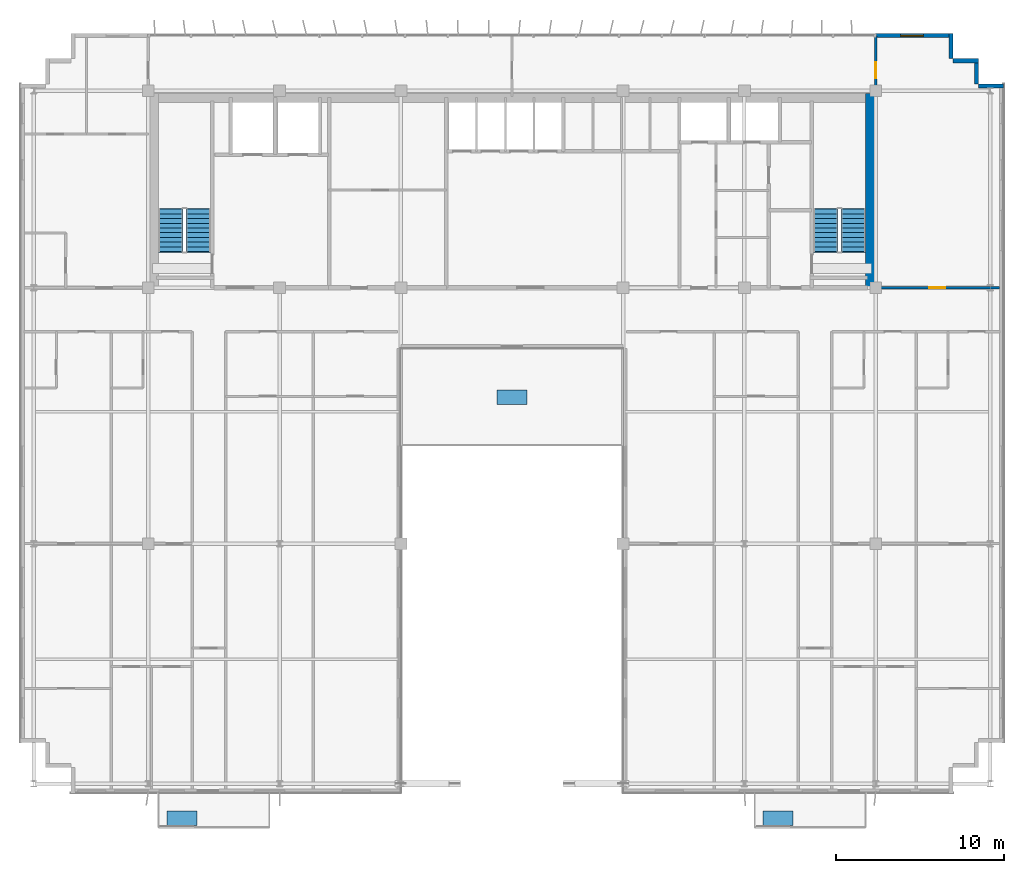
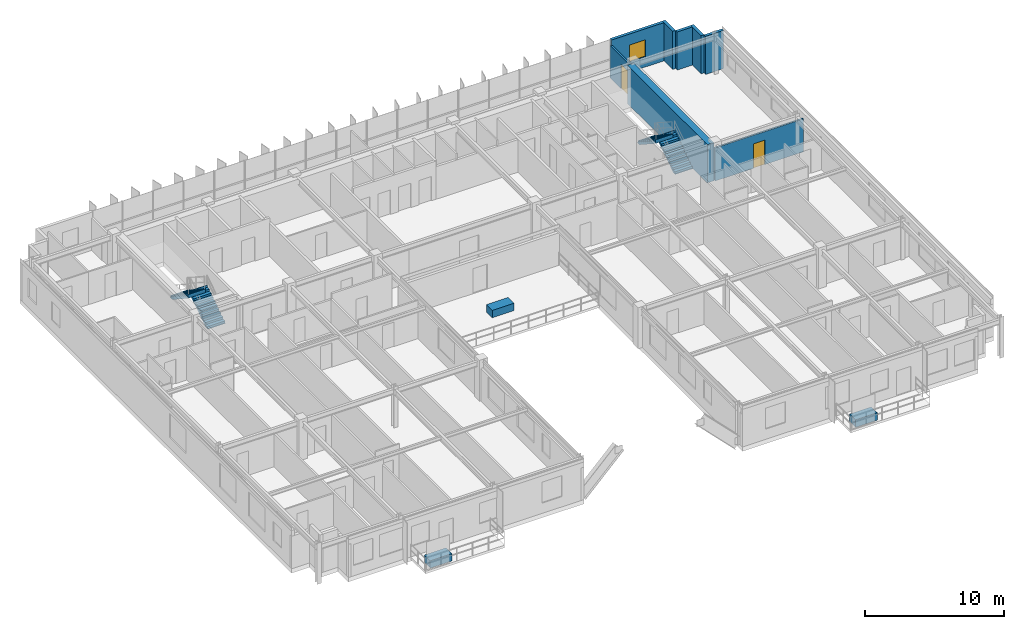
# One storey, part 21 of 23: 8 walls, 4 stair flights, 3 discrete accessories, 2 doors, 1 window, 3 openings, 2 elements without a shape of their own.
"""IFC4 building model written with IfcOpenShell, lengths in metres."""

from ifc_helpers import new_model, si_unit, direction, frame, frame_2d, origin, origin_2d, place, context, subcontext, project, spatial, polyline, rectangle, outline, extrude, source, transform, mapped, material, layer, layer_set, type_object, element, fill, aggregate, save


model = new_model("IFC4")

# Units and contexts
model_context = context("Model", 3, precision=1e-05, world=origin(), true_north=direction((0.0, 1.0)))
body_context = subcontext(model_context, "Body", "Model", "MODEL_VIEW")
ifc_project = project(units=[si_unit("LENGTHUNIT", "METRE"), si_unit("AREAUNIT", "SQUARE_METRE"), si_unit("VOLUMEUNIT", "CUBIC_METRE"), si_unit("PLANEANGLEUNIT", "RADIAN"), si_unit("MASSUNIT", "GRAM", prefix="KILO")], contexts=[model_context])

# Site, building, storey
site_placement = place(None, origin())
site = spatial("IfcSite", under=ifc_project, at=site_placement, CompositionType="ELEMENT")
building_placement = place(site_placement, origin())
building = spatial("IfcBuilding", under=site, at=building_placement, Name="Trelvane Seafront Commons", CompositionType="ELEMENT")
storey_placement = place(building_placement, frame((0.0, 0.0, 190.5)))
storey = spatial("IfcBuildingStorey", under=building, at=storey_placement, Name="L49", CompositionType="ELEMENT", Elevation=190.5)

# Wall, opening, window
ifc_material_1 = material(Name="Precast concrete C40/50", Category="concrete")
ifc_layer_1 = layer(ifc_material_1, 0.239990234375, Name="ARCH-WALL-EXT240")
ifc_layer_set_1 = layer_set([ifc_layer_1], Name="Precast concrete C40/50")
wall_type_1 = type_object("IfcWallType", Name="ARCH-WALL-EXT240", PredefinedType="SOLIDWALL", material=ifc_layer_set_1)
wall_1_placement = place(storey_placement, frame((58.800048828125, 48.3701171875, 0.0), z_axis=(0.0, 0.0, 1.0), x_axis=(1.0, 0.0, 0.0)))
wall_1 = element("IfcWall", 1, at=wall_1_placement, inside=storey, type_object=wall_type_1, Name="EW-L49-NE-0958", PredefinedType="SOLIDWALL", context=body_context, shape_type="SweptSolid", body=[
    extrude(rectangle(XDim=4.5, YDim=0.239990234375, at=frame_2d((2.25, 0.0))), origin(), (0.0, 0.0, 1.0), 3.360107421875),
])
opening_1_placement = place(wall_1_placement, frame((1.48291015625, 0.0, 0.89990234375)))
opening_1 = element("IfcOpeningElement", 2, at=opening_1_placement, cuts=wall_1, Name="Opening W09", PredefinedType="OPENING", context=body_context, shape_type="SweptSolid", body=[
    extrude(rectangle(XDim=1.35009765625, YDim=1.5, at=frame_2d((0.675048828125, 0.75))), frame((0.0, 0.1298828125, 0.0), z_axis=(0.0, -1.0, 0.0), x_axis=(1.0, 0.0, 0.0)), (0.0, 0.0, 1.0), 0.260009765625),
])
ifc_material_2 = material(Name="Low-E coastal double glazing", Category="glass")
window_type = type_object("IfcWindowType", Name="ARCH-WIN-W09", PartitioningType="SINGLE_PANEL", PredefinedType="WINDOW", material=ifc_material_2)
shared_shape_1 = source(origin(), body_context, "Body", "SweptSolid", [
    extrude(rectangle(XDim=1.35009765625, YDim=1.5, at=frame_2d((0.675048828125, 0.75))), frame((0.0, 0.030029296875, 0.0), z_axis=(0.0, -1.0, 0.0), x_axis=(1.0, 0.0, 0.0)), (0.0, 0.0, 1.0), 0.06005859375),
])
window_placement = place(opening_1_placement, origin())
window = element("IfcWindow", 3, at=window_placement, inside=storey, type_object=window_type, Name="WIN-L49-01135", OverallHeight=1.5, OverallWidth=1.35009765625, PartitioningType="SINGLE_PANEL", PredefinedType="WINDOW", context=body_context, shape_type="MappedRepresentation", body=[
    mapped(shared_shape_1, transform((0.0, 0.0, 0.0), x_axis=(1.0, 0.0, 0.0), y_axis=(0.0, 1.0, 0.0), z_axis=(0.0, 0.0, 1.0), scale=1.0)),
])
fill(opening_1, window)

# Walls
for number, where, z_axis, x_axis, name in (
    (4, (63.280029296875, 48.5, 0.0), (0.0, 0.0, 1.0), (0.0, -1.0, 0.0), "EW-L49-00967"),
    (5, (63.39990234375, 46.8798828125, 0.0), (0.0, 0.0, 1.0), (1.0, 0.0, 0.0), "EW-L49-00968"),
    (6, (64.780029296875, 47.0, 0.0), (0.0, 0.0, 1.0), (0.0, -1.0, 0.0), "EW-L49-00969"),
    (7, (64.89990234375, 45.3798828125, 0.0), (0.0, 0.0, 1.0), (1.0, 0.0, 0.0), "EW-L49-00970"),
):
    element("IfcWall", number, at=place(storey_placement, frame(where, z_axis=z_axis, x_axis=x_axis)), inside=storey, type_object=wall_type_1, Name=name, PredefinedType="SOLIDWALL", context=body_context, shape_type="SweptSolid", body=[
        extrude(rectangle(XDim=1.5, YDim=0.239990234375, at=frame_2d((0.75, 0.0))), origin(), (0.0, 0.0, 1.0), 3.360107421875),
    ])

# Wall, opening, door
ifc_material_3 = material(Name="Gypsum Drywall Acoustic Partition")
ifc_layer_2 = layer(ifc_material_3, 0.14990234375, Name="ARCH-WALL-PART150")
ifc_layer_set_2 = layer_set([ifc_layer_2], Name="Gypsum Drywall Acoustic Partition")
wall_type_2 = type_object("IfcWallType", Name="ARCH-WALL-PART150", PredefinedType="PARTITIONING", material=ifc_layer_set_2)
wall_2_placement = place(storey_placement, frame((58.800048828125, 33.39990234375, 0.0), z_axis=(0.0, 0.0, 1.0), x_axis=(1.0, 0.0, 0.0)))
wall_2 = element("IfcWall", 8, at=wall_2_placement, inside=storey, type_object=wall_type_2, Name="W-L49-NE-ENT-043", PredefinedType="PARTITIONING", context=body_context, shape_type="SweptSolid", body=[
    extrude(rectangle(XDim=7.349853515625, YDim=0.14990234375, at=frame_2d((3.6748046875, 0.0))), origin(), (0.0, 0.0, 1.0), 2.909912109375),
])
opening_2_placement = place(wall_2_placement, frame((3.19189453125, 0.0, 0.0)))
opening_2 = element("IfcOpeningElement", 9, at=opening_2_placement, cuts=wall_2, Name="Opening FD-L49-25", PredefinedType="OPENING", context=body_context, shape_type="SweptSolid", body=[
    extrude(rectangle(XDim=0.949951171875, YDim=2.14990234375, at=frame_2d((0.47509765625, 1.074951171875))), frame((0.0, 0.0849609375, 0.0), z_axis=(0.0, -1.0, 0.0), x_axis=(1.0, 0.0, 0.0)), (0.0, 0.0, 1.0), 0.169921875),
])
ifc_material_4 = material(Name="Powder-coated aluminium frame", Category="aluminium")
door_type = type_object("IfcDoorType", Name="ARCH-DR-FD60-950", OperationType="NOTDEFINED", PredefinedType="DOOR", material=ifc_material_4)
shared_shape_2 = source(origin(), body_context, "Body", "SweptSolid", [
    extrude(rectangle(XDim=0.949951171875, YDim=2.14990234375, at=frame_2d((0.47509765625, 1.074951171875))), frame((0.0, 0.02490234375, 0.0), z_axis=(0.0, -1.0, 0.0), x_axis=(1.0, 0.0, 0.0)), (0.0, 0.0, 1.0), 0.050048828125),
])
door_1_placement = place(opening_2_placement, origin())
door_1 = element("IfcDoor", 10, at=door_1_placement, inside=storey, type_object=door_type, Name="L49 NE Suite Entrance Door", OperationType="SINGLE_SWING_LEFT", OverallHeight=2.14990234375, OverallWidth=0.949951171875, PredefinedType="DOOR", context=body_context, shape_type="MappedRepresentation", body=[
    mapped(shared_shape_2, transform((0.0, 0.0, 0.0), x_axis=(1.0, 0.0, 0.0), y_axis=(0.0, 1.0, 0.0), z_axis=(0.0, 0.0, 1.0), scale=1.0)),
])
fill(opening_2, door_1)

wall_3_placement = place(storey_placement, frame((58.800048828125, 44.75, 0.0), z_axis=(0.0, 0.0, 1.0), x_axis=(0.0, 1.0, 0.0)))
wall_3 = element("IfcWall", 11, at=wall_3_placement, inside=storey, type_object=wall_type_2, Name="W-L49-N-LINK-E-046", PredefinedType="PARTITIONING", context=body_context, shape_type="SweptSolid", body=[
    extrude(rectangle(XDim=3.610107421875, YDim=0.14990234375, at=frame_2d((1.80517578125, 0.0))), origin(), (0.0, 0.0, 1.0), 2.860107421875),
])
opening_3_placement = place(wall_3_placement, frame((1.10009765625, 0.0, 0.0)))
opening_3 = element("IfcOpeningElement", 12, at=opening_3_placement, cuts=wall_3, Name="Opening FD-L49-28", PredefinedType="OPENING", context=body_context, shape_type="SweptSolid", body=[
    extrude(rectangle(XDim=0.949951171875, YDim=2.14990234375, at=frame_2d((0.47509765625, 1.074951171875))), frame((0.0, 0.0849609375, 0.0), z_axis=(0.0, -1.0, 0.0), x_axis=(1.0, 0.0, 0.0)), (0.0, 0.0, 1.0), 0.169921875),
])
door_2_placement = place(opening_3_placement, origin())
door_2 = element("IfcDoor", 13, at=door_2_placement, inside=storey, type_object=door_type, Name="L49 Door 28", OperationType="SINGLE_SWING_RIGHT", OverallHeight=2.14990234375, OverallWidth=0.949951171875, PredefinedType="DOOR", context=body_context, shape_type="MappedRepresentation", body=[
    mapped(shared_shape_2, transform((0.0, 0.0, 0.0), x_axis=(1.0, 0.0, 0.0), y_axis=(0.0, 1.0, 0.0), z_axis=(0.0, 0.0, 1.0), scale=1.0)),
])
fill(opening_3, door_2)

# Wall
ifc_material_5 = material(Name="Concrete C50/60", Category="concrete")
ifc_layer_3 = layer(ifc_material_5, 0.550048828125, Name="STR-WALL-CORE550")
ifc_layer_set_3 = layer_set([ifc_layer_3], Name="Concrete C50/60")
wall_type_3 = type_object("IfcWallType", Name="STR-WALL-CORE550", PredefinedType="SHEAR", material=ifc_layer_set_3)
wall_4_placement = place(storey_placement, frame((58.47509765625, 33.39990234375, 0.0), z_axis=(0.0, 0.0, 1.0), x_axis=(0.0, 1.0, 0.0)))
element("IfcWall", 14, at=wall_4_placement, inside=storey, type_object=wall_type_3, Name="W-L49-CE-END-003", PredefinedType="SHEAR", context=body_context, shape_type="SweptSolid", body=[
    extrude(rectangle(XDim=11.550048828125, YDim=0.550048828125, at=frame_2d((5.77490234375, 0.0))), origin(), (0.0, 0.0, 1.0), 3.360107421875),
])

# Stair, stair flights
ifc_material_6 = material(Name="Concrete C40/50", Category="concrete")
stair_type_1 = type_object("IfcStairType", Name="ARCH-STR-ST-1-R20-180", PredefinedType="HALF_TURN_STAIR", material=ifc_material_6)
stair_1_placement = place(storey_placement, origin())
stair_1 = element("IfcStair", 15, at=stair_1_placement, inside=storey, type_object=stair_type_1, Name="L49 West Protected Firefighting Exit Stair ST-1", PredefinedType="HALF_TURN_STAIR")
stair_flight_type_1 = type_object("IfcStairFlightType", Name="ARCH-FLG-ST-1-R20-180", PredefinedType="STRAIGHT", material=ifc_material_6)
shared_shape_3 = source(origin(), body_context, "Body", "SweptSolid", [
    extrude(outline(polyline([(-0.050048828125, -0.02001953125), (-0.050048828125, 0.0), (0.0, 0.0), (0.0, 0.179931640625), (0.280029296875, 0.179931640625), (0.280029296875, 0.360107421875), (0.56005859375, 0.360107421875), (0.56005859375, 0.5400390625), (0.840087890625, 0.5400390625), (0.840087890625, 0.719970703125), (1.1201171875, 0.719970703125), (1.1201171875, 0.89990234375), (1.39990234375, 0.89990234375), (1.39990234375, 1.080078125), (1.679931640625, 1.080078125), (1.679931640625, 1.260009765625), (1.9599609375, 1.260009765625), (1.9599609375, 1.43994140625), (2.239990234375, 1.43994140625), (2.239990234375, 1.6201171875), (2.52001953125, 1.6201171875), (2.52001953125, 1.800048828125), (2.570068359375, 1.800048828125), (2.570068359375, 1.650146484375), (2.52001953125, 1.44189453125), (0.277099609375, -0.02001953125), (-0.050048828125, -0.02001953125)])), frame((0.0, 0.72509765625, 0.0), z_axis=(0.0, -1.0, 0.0), x_axis=(1.0, 0.0, 0.0)), (0.0, 0.0, 1.0), 1.449951171875),
])
stair_flight_1_placement = place(storey_placement, frame((18.574951171875, 35.550048828125, 0.0), z_axis=(0.0, 0.0, 1.0), x_axis=(0.0, 1.0, 0.0)))
stair_flight_1 = element("IfcStairFlight", 16, at=stair_flight_1_placement, type_object=stair_flight_type_1, Name="ST-1 flight 1", NumberOfRisers=10, NumberOfTreads=9, PredefinedType="STRAIGHT", RiserHeight=0.18, TreadLength=0.28, context=body_context, shape_type="MappedRepresentation", body=[
    mapped(shared_shape_3, transform((0.0, 0.0, 0.0), x_axis=(1.0, 0.0, 0.0), y_axis=(0.0, 1.0, 0.0), z_axis=(0.0, 0.0, 1.0), scale=1.0)),
])
stair_flight_2_placement = place(storey_placement, frame((16.925048828125, 38.070068359375, 1.800048828125), z_axis=(0.0, 0.0, 1.0), x_axis=(0.0, -1.0, 0.0)))
stair_flight_2 = element("IfcStairFlight", 17, at=stair_flight_2_placement, type_object=stair_flight_type_1, Name="ST-1 flight 2", NumberOfRisers=10, NumberOfTreads=9, PredefinedType="STRAIGHT", RiserHeight=0.18, TreadLength=0.28, context=body_context, shape_type="MappedRepresentation", body=[
    mapped(shared_shape_3, transform((0.0, 0.0, 0.0), x_axis=(1.0, 0.0, 0.0), y_axis=(0.0, 1.0, 0.0), z_axis=(0.0, 0.0, 1.0), scale=1.0)),
])
aggregate(stair_1, [stair_flight_1, stair_flight_2])

stair_type_2 = type_object("IfcStairType", Name="ARCH-STR-ST-2-R20-180", PredefinedType="HALF_TURN_STAIR", material=ifc_material_6)
stair_2_placement = place(storey_placement, origin())
stair_2 = element("IfcStair", 18, at=stair_2_placement, inside=storey, type_object=stair_type_2, Name="L49 East Protected Firefighting Exit Stair ST-2", PredefinedType="HALF_TURN_STAIR")
stair_flight_type_2 = type_object("IfcStairFlightType", Name="ARCH-FLG-ST-2-R20-180", PredefinedType="STRAIGHT", material=ifc_material_6)
stair_flight_3_placement = place(storey_placement, frame((57.47509765625, 35.550048828125, 0.0), z_axis=(0.0, 0.0, 1.0), x_axis=(0.0, 1.0, 0.0)))
stair_flight_3 = element("IfcStairFlight", 19, at=stair_flight_3_placement, type_object=stair_flight_type_2, Name="ST-2 flight 1", NumberOfRisers=10, NumberOfTreads=9, PredefinedType="STRAIGHT", RiserHeight=0.18, TreadLength=0.28, context=body_context, shape_type="MappedRepresentation", body=[
    mapped(shared_shape_3, transform((0.0, 0.0, 0.0), x_axis=(1.0, 0.0, 0.0), y_axis=(0.0, 1.0, 0.0), z_axis=(0.0, 0.0, 1.0), scale=1.0)),
])
stair_flight_4_placement = place(storey_placement, frame((55.824951171875, 38.070068359375, 1.800048828125), z_axis=(0.0, 0.0, 1.0), x_axis=(0.0, -1.0, 0.0)))
stair_flight_4 = element("IfcStairFlight", 20, at=stair_flight_4_placement, type_object=stair_flight_type_2, Name="ST-2 flight 2", NumberOfRisers=10, NumberOfTreads=9, PredefinedType="STRAIGHT", RiserHeight=0.18, TreadLength=0.28, context=body_context, shape_type="MappedRepresentation", body=[
    mapped(shared_shape_3, transform((0.0, 0.0, 0.0), x_axis=(1.0, 0.0, 0.0), y_axis=(0.0, 1.0, 0.0), z_axis=(0.0, 0.0, 1.0), scale=1.0)),
])
aggregate(stair_2, [stair_flight_3, stair_flight_4])

# Discrete accessories
discrete_accessory_type = type_object("IfcDiscreteAccessoryType", Name="ARCH-ACC-PLANTER", PredefinedType="USERDEFINED", material=ifc_material_1)
shared_shape_4 = source(origin(), body_context, "Body", "SweptSolid", [
    extrude(rectangle(XDim=1.800048828125, YDim=0.85009765625, at=origin_2d()), origin(), (0.0, 0.0, 1.0), 0.64990234375),
])
for number, where, z_axis, x_axis, name in (
    (21, (37.199951171875, 26.89990234375, 0.0), (0.0, 0.0, 1.0), (1.0, 0.0, 0.0), "PLN-L49-TR0-053"),
    (22, (17.60009765625, 1.89990234375, 0.0), (0.0, 0.0, 1.0), (1.0, 0.0, 0.0), "PLN-L49-B0-054"),
    (23, (53.0, 1.89990234375, 0.0), (0.0, 0.0, 1.0), (1.0, 0.0, 0.0), "PLN-L49-B1-055"),
):
    element("IfcDiscreteAccessory", number, at=place(storey_placement, frame(where, z_axis=z_axis, x_axis=x_axis)), inside=storey, type_object=discrete_accessory_type, Name=name, ObjectType="BALCONY TREE PLANTER", PredefinedType="USERDEFINED", context=body_context, shape_type="MappedRepresentation", body=[
        mapped(shared_shape_4, transform((0.0, 0.0, 0.0), x_axis=(1.0, 0.0, 0.0), y_axis=(0.0, 1.0, 0.0), z_axis=(0.0, 0.0, 1.0), scale=1.0)),
    ])

save(model, "model.ifc")
